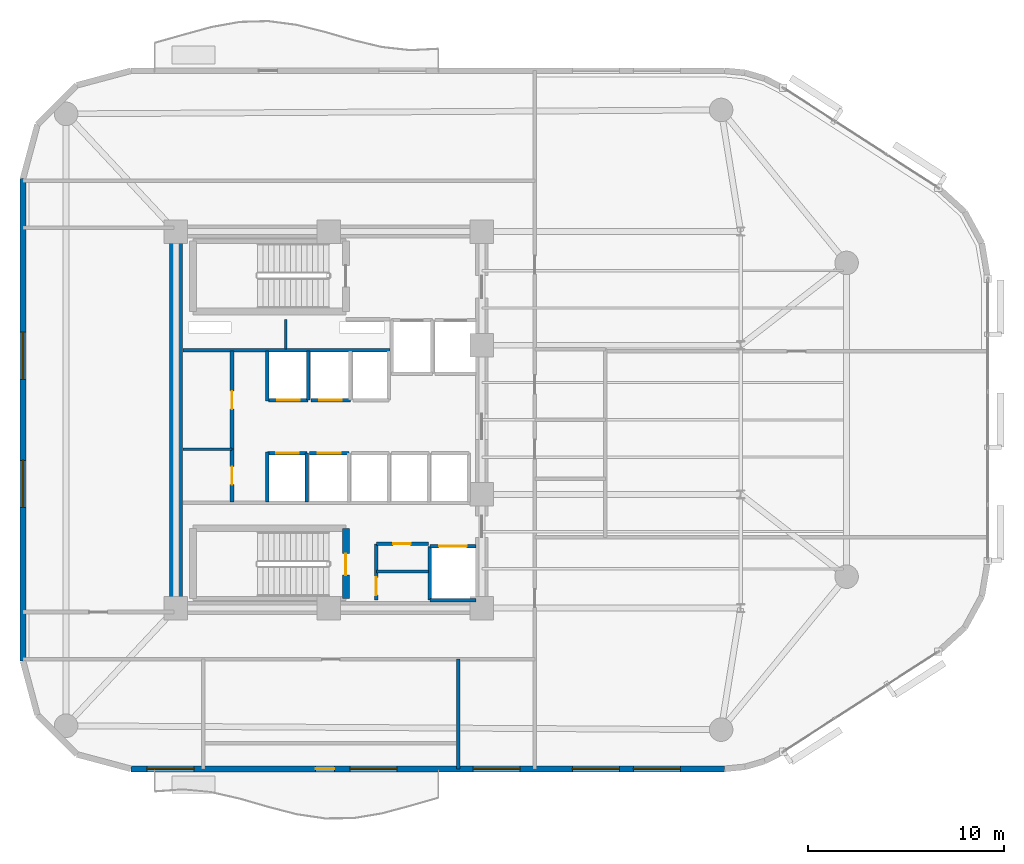
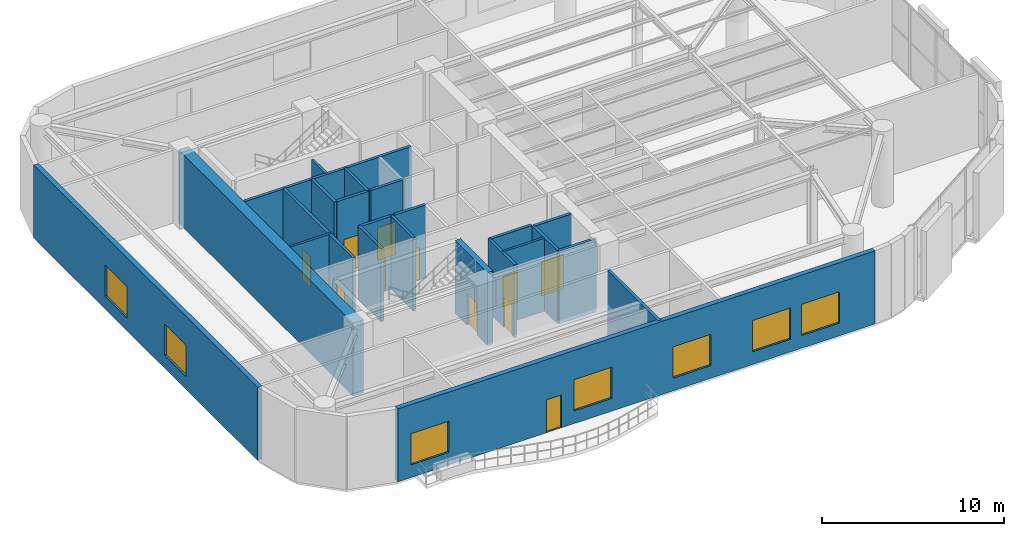
# One storey, part 8 of 12: 24 walls, 11 doors, 7 windows, 18 openings.
"""IFC4 building model written with IfcOpenShell, lengths in metres."""

from ifc_helpers import new_model, si_unit, direction, frame, frame_2d, origin, place, context, subcontext, project, spatial, rectangle, extrude, material, layer, layer_set, type_object, element, fill, save


model = new_model("IFC4")

# Units and contexts
model_context = context("Model", 3, precision=1e-05, world=origin(), true_north=direction((0.0, 1.0)))
body_context = subcontext(model_context, "Body", "Model", "MODEL_VIEW")
ifc_project = project(units=[si_unit("LENGTHUNIT", "METRE"), si_unit("AREAUNIT", "SQUARE_METRE"), si_unit("VOLUMEUNIT", "CUBIC_METRE"), si_unit("PLANEANGLEUNIT", "RADIAN"), si_unit("MASSUNIT", "GRAM", prefix="KILO")], contexts=[model_context])

# Site, building, storey
site_placement = place(None, origin())
site = spatial("IfcSite", under=ifc_project, at=site_placement, CompositionType="ELEMENT")
building_placement = place(site_placement, origin())
building = spatial("IfcBuilding", under=site, at=building_placement, Name="An Khanh Terracotta Commons", CompositionType="ELEMENT")
storey_placement = place(building_placement, frame((0.0, 0.0, 138.699951171875)))
storey = spatial("IfcBuildingStorey", under=building, at=storey_placement, Name="L36", CompositionType="ELEMENT", Elevation=138.699951171875)

# Walls
ifc_material_1 = material(Name="Concrete C60/75", Category="concrete")
ifc_layer_1 = layer(ifc_material_1, 0.64990234375, Name="Concrete C60/75")
ifc_layer_set_1 = layer_set([ifc_layer_1], Name="Concrete C60/75")
wall_type_1 = type_object("IfcWallType", Name="WALL-CORE-650", PredefinedType="SHEAR", material=ifc_layer_set_1)
wall_1_placement = place(storey_placement, frame((21.60009765625, 14.39990234375, 0.0), z_axis=(0.0, 0.0, 1.0), x_axis=(0.0, 1.0, 0.0)))
element("IfcWall", 1, at=wall_1_placement, inside=storey, type_object=wall_type_1, Name="L36 Core Wall CWALL-L36-W", PredefinedType="SHEAR", context=body_context, shape_type="SweptSolid", body=[
    extrude(rectangle(XDim=19.2001953125, YDim=0.64990234375, at=frame_2d((9.60009765625, 0.0))), origin(), (0.0, 0.0, 1.0), 4.900146484375),
])
ifc_material_2 = material(Name="Fire-Rated Gypsum Board on Steel Stud", Category="steel")
ifc_layer_2 = layer(ifc_material_2, 0.179931640625, Name="Fire-Rated Gypsum Board on Steel Stud")
ifc_layer_set_2 = layer_set([ifc_layer_2], Name="Fire-Rated Gypsum Board on Steel Stud")
wall_type_2 = type_object("IfcWallType", Name="WALL-CORR-180", PredefinedType="PARTITIONING", material=ifc_layer_set_2)
wall_2_placement = place(storey_placement, frame((21.949951171875, 27.5400390625, 0.0), z_axis=(0.0, 0.0, 1.0), x_axis=(1.0, 0.0, 0.0)))
element("IfcWall", 2, at=wall_2_placement, inside=storey, type_object=wall_type_2, Name="L36 Core Wall RSRW-L36-S", PredefinedType="PARTITIONING", context=body_context, shape_type="SweptSolid", body=[
    extrude(rectangle(XDim=10.56005859375, YDim=0.179931640625, at=frame_2d((5.280029296875, 0.0))), origin(), (0.0, 0.0, 1.0), 4.900146484375),
])

# Wall, opening, door
wall_3_placement = place(storey_placement, frame((31.820068359375, 17.679931640625, 0.0), z_axis=(0.0, 0.0, 1.0), x_axis=(1.0, 0.0, 0.0)))
wall_3 = element("IfcWall", 3, at=wall_3_placement, inside=storey, type_object=wall_type_2, Name="L36 Core Wall SSVCW-L36-N", PredefinedType="PARTITIONING", context=body_context, shape_type="SweptSolid", body=[
    extrude(rectangle(XDim=2.659912109375, YDim=0.179931640625, at=frame_2d((1.330078125, 0.0))), origin(), (0.0, 0.0, 1.0), 4.900146484375),
])
opening_1_placement = place(wall_3_placement, frame((0.85009765625, 0.0, 0.0)))
opening_1 = element("IfcOpeningElement", 4, at=opening_1_placement, cuts=wall_3, Name="Opening D-SV", PredefinedType="OPENING", context=body_context, shape_type="SweptSolid", body=[
    extrude(rectangle(XDim=0.89990234375, YDim=2.050048828125, at=frame_2d((0.449951171875, 1.02490234375))), frame((0.0, 0.099853515625, 0.0), z_axis=(0.0, -1.0, 0.0), x_axis=(1.0, 0.0, 0.0)), (0.0, 0.0, 1.0), 0.199951171875),
])
ifc_material_3 = material(Name="Fire-Rated Powder-Coated Steel Door", Category="steel")
door_type_1 = type_object("IfcDoorType", Name="DOOR-SERV-900", OperationType="NOTDEFINED", PredefinedType="DOOR", material=ifc_material_3)
door_1_placement = place(opening_1_placement, origin())
door_1 = element("IfcDoor", 5, at=door_1_placement, inside=storey, type_object=door_type_1, Name="L36 Core Cleaner Store Door", OperationType="SINGLE_SWING_LEFT", OverallHeight=2.050048828125, OverallWidth=0.89990234375, PredefinedType="DOOR", context=body_context, shape_type="SweptSolid", body=[
    extrude(rectangle(XDim=0.89990234375, YDim=2.050048828125, at=frame_2d((0.449951171875, 1.02490234375))), frame((0.0, 0.02490234375, 0.0), z_axis=(0.0, -1.0, 0.0), x_axis=(1.0, 0.0, 0.0)), (0.0, 0.0, 1.0), 0.050048828125),
])
fill(opening_1, door_1)

wall_4_placement = place(storey_placement, frame((31.820068359375, 14.800048828125, 0.0), z_axis=(0.0, 0.0, 1.0), x_axis=(0.0, 1.0, 0.0)))
wall_4 = element("IfcWall", 6, at=wall_4_placement, inside=storey, type_object=wall_type_2, Name="L36 Core Wall SSVCW-L36-W", PredefinedType="PARTITIONING", context=body_context, shape_type="SweptSolid", body=[
    extrude(rectangle(XDim=2.8798828125, YDim=0.179931640625, at=frame_2d((1.43994140625, 0.0))), origin(), (0.0, 0.0, 1.0), 4.900146484375),
])
opening_2_placement = place(wall_4_placement, frame((0.260009765625, 0.0, 0.0)))
opening_2 = element("IfcOpeningElement", 7, at=opening_2_placement, cuts=wall_4, Name="Opening D-SV", PredefinedType="OPENING", context=body_context, shape_type="SweptSolid", body=[
    extrude(rectangle(XDim=0.89990234375, YDim=2.050048828125, at=frame_2d((0.449951171875, 1.02490234375))), frame((0.0, 0.099853515625, 0.0), z_axis=(0.0, -1.0, 0.0), x_axis=(1.0, 0.0, 0.0)), (0.0, 0.0, 1.0), 0.199951171875),
])
door_2_placement = place(opening_2_placement, origin())
door_2 = element("IfcDoor", 8, at=door_2_placement, inside=storey, type_object=door_type_1, Name="L36 Telecoms BMS Cupboard Door", OperationType="SINGLE_SWING_RIGHT", OverallHeight=2.050048828125, OverallWidth=0.89990234375, PredefinedType="DOOR", context=body_context, shape_type="SweptSolid", body=[
    extrude(rectangle(XDim=0.89990234375, YDim=2.050048828125, at=frame_2d((0.449951171875, 1.02490234375))), frame((0.0, 0.02490234375, 0.0), z_axis=(0.0, -1.0, 0.0), x_axis=(1.0, 0.0, 0.0)), (0.0, 0.0, 1.0), 0.050048828125),
])
fill(opening_2, door_2)

wall_5_placement = place(storey_placement, frame((34.550048828125, 17.550048828125, 0.0), z_axis=(0.0, 0.0, 1.0), x_axis=(1.0, 0.0, 0.0)))
wall_5 = element("IfcWall", 9, at=wall_5_placement, inside=storey, type_object=wall_type_2, Name="L36 Core Wall LSH-L36-SVL-01-N", PredefinedType="PARTITIONING", context=body_context, shape_type="SweptSolid", body=[
    extrude(rectangle(XDim=2.349853515625, YDim=0.179931640625, at=frame_2d((1.1748046875, 0.0))), origin(), (0.0, 0.0, 1.0), 4.900146484375),
])
opening_3_placement = place(wall_5_placement, frame((0.47509765625, 0.0, 0.0)))
opening_3 = element("IfcOpeningElement", 10, at=opening_3_placement, cuts=wall_5, Name="Opening LD-SVL-01-L36", PredefinedType="OPENING", context=body_context, shape_type="SweptSolid", body=[
    extrude(rectangle(XDim=1.39990234375, YDim=2.300048828125, at=frame_2d((0.699951171875, 1.14990234375))), frame((0.0, 0.099853515625, 0.0), z_axis=(0.0, -1.0, 0.0), x_axis=(1.0, 0.0, 0.0)), (0.0, 0.0, 1.0), 0.199951171875),
])
ifc_material_4 = material(Name="Heavy-Duty Stainless Steel Goods Landing Door", Category="steel")
door_type_2 = type_object("IfcDoorType", Name="DOOR-LD-SVL-1400", OperationType="NOTDEFINED", PredefinedType="DOOR", material=ifc_material_4)
door_3_placement = place(opening_3_placement, origin())
door_3 = element("IfcDoor", 11, at=door_3_placement, inside=storey, type_object=door_type_2, Name="L36 Lift SVL-01 Sliding Landing Door", OperationType="DOUBLE_DOOR_SLIDING", OverallHeight=2.300048828125, OverallWidth=1.39990234375, PredefinedType="DOOR", context=body_context, shape_type="SweptSolid", body=[
    extrude(rectangle(XDim=1.39990234375, YDim=2.300048828125, at=frame_2d((0.699951171875, 1.14990234375))), frame((0.0, 0.02490234375, 0.0), z_axis=(0.0, -1.0, 0.0), x_axis=(1.0, 0.0, 0.0)), (0.0, 0.0, 1.0), 0.050048828125),
])
fill(opening_3, door_3)

# Walls
wall_6_placement = place(storey_placement, frame((36.89990234375, 14.800048828125, 0.0), z_axis=(0.0, 0.0, 1.0), x_axis=(-1.0, 0.0, 0.0)))
element("IfcWall", 12, at=wall_6_placement, inside=storey, type_object=wall_type_2, Name="L36 Core Wall LSH-L36-SVL-01-S", PredefinedType="PARTITIONING", context=body_context, shape_type="SweptSolid", body=[
    extrude(rectangle(XDim=2.349853515625, YDim=0.179931640625, at=frame_2d((1.1748046875, 0.0))), origin(), (0.0, 0.0, 1.0), 4.900146484375),
])
wall_7_placement = place(storey_placement, frame((34.550048828125, 17.550048828125, 0.0), z_axis=(0.0, 0.0, 1.0), x_axis=(0.0, -1.0, 0.0)))
element("IfcWall", 13, at=wall_7_placement, inside=storey, type_object=wall_type_2, Name="L36 Core Wall LSH-L36-SVL-01-W", PredefinedType="PARTITIONING", context=body_context, shape_type="SweptSolid", body=[
    extrude(rectangle(XDim=2.75, YDim=0.179931640625, at=frame_2d((1.375, 0.0))), origin(), (0.0, 0.0, 1.0), 4.900146484375),
])

# Wall, opening, door
wall_8_placement = place(storey_placement, frame((28.340087890625, 25.0, 0.0), z_axis=(0.0, 0.0, 1.0), x_axis=(-1.0, 0.0, 0.0)))
wall_8 = element("IfcWall", 14, at=wall_8_placement, inside=storey, type_object=wall_type_2, Name="L36 Core Wall LSH-L36-PL-M1-S", PredefinedType="PARTITIONING", context=body_context, shape_type="SweptSolid", body=[
    extrude(rectangle(XDim=2.02001953125, YDim=0.179931640625, at=frame_2d((1.010009765625, 0.0))), origin(), (0.0, 0.0, 1.0), 4.900146484375),
])
opening_4_placement = place(wall_8_placement, frame((0.43505859375, 0.0, 0.0)))
opening_4 = element("IfcOpeningElement", 15, at=opening_4_placement, cuts=wall_8, Name="Opening LD-PL-M1-L36", PredefinedType="OPENING", context=body_context, shape_type="SweptSolid", body=[
    extrude(rectangle(XDim=1.14990234375, YDim=2.199951171875, at=frame_2d((0.574951171875, 1.10009765625))), frame((0.0, 0.099853515625, 0.0), z_axis=(0.0, -1.0, 0.0), x_axis=(1.0, 0.0, 0.0)), (0.0, 0.0, 1.0), 0.199951171875),
])
ifc_material_5 = material(Name="Brushed Stainless Steel Passenger Landing Door", Category="steel")
door_type_3 = type_object("IfcDoorType", Name="DOOR-LD-PAX-1150", OperationType="NOTDEFINED", PredefinedType="DOOR", material=ifc_material_5)
door_4_placement = place(opening_4_placement, origin())
door_4 = element("IfcDoor", 16, at=door_4_placement, inside=storey, type_object=door_type_3, Name="L36 Lift PL-M1 Sliding Landing Door", OperationType="DOUBLE_DOOR_SLIDING", OverallHeight=2.199951171875, OverallWidth=1.14990234375, PredefinedType="DOOR", context=body_context, shape_type="SweptSolid", body=[
    extrude(rectangle(XDim=1.14990234375, YDim=2.199951171875, at=frame_2d((0.574951171875, 1.10009765625))), frame((0.0, 0.02490234375, 0.0), z_axis=(0.0, -1.0, 0.0), x_axis=(1.0, 0.0, 0.0)), (0.0, 0.0, 1.0), 0.050048828125),
])
fill(opening_4, door_4)

# Wall
wall_9_placement = place(storey_placement, frame((28.340087890625, 25.0, 0.0), z_axis=(0.0, 0.0, 1.0), x_axis=(0.0, 1.0, 0.0)))
element("IfcWall", 17, at=wall_9_placement, inside=storey, type_object=wall_type_2, Name="L36 Core Wall LSH-L36-PL-M1-E", PredefinedType="PARTITIONING", context=body_context, shape_type="SweptSolid", body=[
    extrude(rectangle(XDim=2.5, YDim=0.179931640625, at=frame_2d((1.25, 0.0))), origin(), (0.0, 0.0, 1.0), 4.900146484375),
])

# Wall, opening, door
wall_10_placement = place(storey_placement, frame((30.5, 25.0, 0.0), z_axis=(0.0, 0.0, 1.0), x_axis=(-1.0, 0.0, 0.0)))
wall_10 = element("IfcWall", 18, at=wall_10_placement, inside=storey, type_object=wall_type_2, Name="L36 Core Wall LSH-L36-PL-M2-S", PredefinedType="PARTITIONING", context=body_context, shape_type="SweptSolid", body=[
    extrude(rectangle(XDim=2.02001953125, YDim=0.179931640625, at=frame_2d((1.010009765625, 0.0))), origin(), (0.0, 0.0, 1.0), 4.900146484375),
])
opening_5_placement = place(wall_10_placement, frame((0.43505859375, 0.0, 0.0)))
opening_5 = element("IfcOpeningElement", 19, at=opening_5_placement, cuts=wall_10, Name="Opening LD-PL-M2-L36", PredefinedType="OPENING", context=body_context, shape_type="SweptSolid", body=[
    extrude(rectangle(XDim=1.14990234375, YDim=2.199951171875, at=frame_2d((0.574951171875, 1.10009765625))), frame((0.0, 0.099853515625, 0.0), z_axis=(0.0, -1.0, 0.0), x_axis=(1.0, 0.0, 0.0)), (0.0, 0.0, 1.0), 0.199951171875),
])
door_5_placement = place(opening_5_placement, origin())
door_5 = element("IfcDoor", 20, at=door_5_placement, inside=storey, type_object=door_type_3, Name="L36 Lift PL-M2 Sliding Landing Door", OperationType="DOUBLE_DOOR_SLIDING", OverallHeight=2.199951171875, OverallWidth=1.14990234375, PredefinedType="DOOR", context=body_context, shape_type="SweptSolid", body=[
    extrude(rectangle(XDim=1.14990234375, YDim=2.199951171875, at=frame_2d((0.574951171875, 1.10009765625))), frame((0.0, 0.02490234375, 0.0), z_axis=(0.0, -1.0, 0.0), x_axis=(1.0, 0.0, 0.0)), (0.0, 0.0, 1.0), 0.050048828125),
])
fill(opening_5, door_5)

wall_11_placement = place(storey_placement, frame((26.280029296875, 22.300048828125, 0.0), z_axis=(0.0, 0.0, 1.0), x_axis=(1.0, 0.0, 0.0)))
wall_11 = element("IfcWall", 21, at=wall_11_placement, inside=storey, type_object=wall_type_2, Name="L36 Core Wall LSH-L36-PL-M3-N", PredefinedType="PARTITIONING", context=body_context, shape_type="SweptSolid", body=[
    extrude(rectangle(XDim=2.0, YDim=0.179931640625, at=frame_2d((1.0, 0.0))), origin(), (0.0, 0.0, 1.0), 4.900146484375),
])
opening_6_placement = place(wall_11_placement, frame((0.425048828125, 0.0, 0.0)))
opening_6 = element("IfcOpeningElement", 22, at=opening_6_placement, cuts=wall_11, Name="Opening LD-PL-M3-L36", PredefinedType="OPENING", context=body_context, shape_type="SweptSolid", body=[
    extrude(rectangle(XDim=1.14990234375, YDim=2.199951171875, at=frame_2d((0.574951171875, 1.10009765625))), frame((0.0, 0.099853515625, 0.0), z_axis=(0.0, -1.0, 0.0), x_axis=(1.0, 0.0, 0.0)), (0.0, 0.0, 1.0), 0.199951171875),
])
door_6_placement = place(opening_6_placement, origin())
door_6 = element("IfcDoor", 23, at=door_6_placement, inside=storey, type_object=door_type_3, Name="L36 Lift PL-M3 Sliding Landing Door", OperationType="DOUBLE_DOOR_SLIDING", OverallHeight=2.199951171875, OverallWidth=1.14990234375, PredefinedType="DOOR", context=body_context, shape_type="SweptSolid", body=[
    extrude(rectangle(XDim=1.14990234375, YDim=2.199951171875, at=frame_2d((0.574951171875, 1.10009765625))), frame((0.0, 0.02490234375, 0.0), z_axis=(0.0, -1.0, 0.0), x_axis=(1.0, 0.0, 0.0)), (0.0, 0.0, 1.0), 0.050048828125),
])
fill(opening_6, door_6)

# Wall
wall_12_placement = place(storey_placement, frame((28.280029296875, 19.800048828125, 0.0), z_axis=(0.0, 0.0, 1.0), x_axis=(0.0, 1.0, 0.0)))
element("IfcWall", 24, at=wall_12_placement, inside=storey, type_object=wall_type_2, Name="L36 Core Wall LSH-L36-PL-M3-E", PredefinedType="PARTITIONING", context=body_context, shape_type="SweptSolid", body=[
    extrude(rectangle(XDim=2.5, YDim=0.179931640625, at=frame_2d((1.25, 0.0))), origin(), (0.0, 0.0, 1.0), 4.900146484375),
])

# Wall, opening, door
wall_13_placement = place(storey_placement, frame((28.419921875, 22.300048828125, 0.0), z_axis=(0.0, 0.0, 1.0), x_axis=(1.0, 0.0, 0.0)))
wall_13 = element("IfcWall", 25, at=wall_13_placement, inside=storey, type_object=wall_type_2, Name="L36 Core Wall LSH-L36-PL-M4-N", PredefinedType="PARTITIONING", context=body_context, shape_type="SweptSolid", body=[
    extrude(rectangle(XDim=2.0, YDim=0.179931640625, at=frame_2d((1.0, 0.0))), origin(), (0.0, 0.0, 1.0), 4.900146484375),
])
opening_7_placement = place(wall_13_placement, frame((0.425048828125, 0.0, 0.0)))
opening_7 = element("IfcOpeningElement", 26, at=opening_7_placement, cuts=wall_13, Name="Opening LD-PL-M4-L36", PredefinedType="OPENING", context=body_context, shape_type="SweptSolid", body=[
    extrude(rectangle(XDim=1.14990234375, YDim=2.199951171875, at=frame_2d((0.574951171875, 1.10009765625))), frame((0.0, 0.099853515625, 0.0), z_axis=(0.0, -1.0, 0.0), x_axis=(1.0, 0.0, 0.0)), (0.0, 0.0, 1.0), 0.199951171875),
])
door_7_placement = place(opening_7_placement, origin())
door_7 = element("IfcDoor", 27, at=door_7_placement, inside=storey, type_object=door_type_3, Name="L36 Lift PL-M4 Sliding Landing Door", OperationType="DOUBLE_DOOR_SLIDING", OverallHeight=2.199951171875, OverallWidth=1.14990234375, PredefinedType="DOOR", context=body_context, shape_type="SweptSolid", body=[
    extrude(rectangle(XDim=1.14990234375, YDim=2.199951171875, at=frame_2d((0.574951171875, 1.10009765625))), frame((0.0, 0.02490234375, 0.0), z_axis=(0.0, -1.0, 0.0), x_axis=(1.0, 0.0, 0.0)), (0.0, 0.0, 1.0), 0.050048828125),
])
fill(opening_7, door_7)

wall_14_placement = place(storey_placement, frame((24.4599609375, 22.5, 0.0), z_axis=(0.0, 0.0, 1.0), x_axis=(0.0, 1.0, 0.0)))
wall_14 = element("IfcWall", 28, at=wall_14_placement, inside=storey, type_object=wall_type_2, Name="L36 Core Wall RECW-L36-E1", PredefinedType="PARTITIONING", context=body_context, shape_type="SweptSolid", body=[
    extrude(rectangle(XDim=5.0, YDim=0.179931640625, at=frame_2d((2.5, 0.0))), origin(), (0.0, 0.0, 1.0), 4.900146484375),
])
opening_8_placement = place(wall_14_placement, frame((2.0400390625, 0.0, 0.0)))
opening_8 = element("IfcOpeningElement", 29, at=opening_8_placement, cuts=wall_14, Name="Opening D-RM", PredefinedType="OPENING", context=body_context, shape_type="SweptSolid", body=[
    extrude(rectangle(XDim=0.919921875, YDim=2.10009765625, at=frame_2d((0.4599609375, 1.050048828125))), frame((0.0, 0.099853515625, 0.0), z_axis=(0.0, -1.0, 0.0), x_axis=(1.0, 0.0, 0.0)), (0.0, 0.0, 1.0), 0.199951171875),
])
ifc_material_6 = material(Name="Engineered Hardwood Timber Leaf", Category="wood")
door_type_4 = type_object("IfcDoorType", Name="DOOR-INT-920", OperationType="NOTDEFINED", PredefinedType="DOOR", material=ifc_material_6)
door_8_placement = place(opening_8_placement, origin())
door_8 = element("IfcDoor", 30, at=door_8_placement, inside=storey, type_object=door_type_4, Name="L36 Resident Study Pod Door", OperationType="SINGLE_SWING_LEFT", OverallHeight=2.10009765625, OverallWidth=0.919921875, PredefinedType="DOOR", context=body_context, shape_type="SweptSolid", body=[
    extrude(rectangle(XDim=0.919921875, YDim=2.10009765625, at=frame_2d((0.4599609375, 1.050048828125))), frame((0.0, 0.02490234375, 0.0), z_axis=(0.0, -1.0, 0.0), x_axis=(1.0, 0.0, 0.0)), (0.0, 0.0, 1.0), 0.050048828125),
])
fill(opening_8, door_8)

wall_15_placement = place(storey_placement, frame((24.4599609375, 19.800048828125, 0.0), z_axis=(0.0, 0.0, 1.0), x_axis=(0.0, 1.0, 0.0)))
wall_15 = element("IfcWall", 31, at=wall_15_placement, inside=storey, type_object=wall_type_2, Name="L36 Core Wall RECW-L36-E2", PredefinedType="PARTITIONING", context=body_context, shape_type="SweptSolid", body=[
    extrude(rectangle(XDim=2.699951171875, YDim=0.179931640625, at=frame_2d((1.35009765625, 0.0))), origin(), (0.0, 0.0, 1.0), 4.900146484375),
])
opening_9_placement = place(wall_15_placement, frame((0.889892578125, 0.0, 0.0)))
opening_9 = element("IfcOpeningElement", 32, at=opening_9_placement, cuts=wall_15, Name="Opening D-RM", PredefinedType="OPENING", context=body_context, shape_type="SweptSolid", body=[
    extrude(rectangle(XDim=0.919921875, YDim=2.10009765625, at=frame_2d((0.4599609375, 1.050048828125))), frame((0.0, 0.099853515625, 0.0), z_axis=(0.0, -1.0, 0.0), x_axis=(1.0, 0.0, 0.0)), (0.0, 0.0, 1.0), 0.199951171875),
])
door_9_placement = place(opening_9_placement, origin())
door_9 = element("IfcDoor", 33, at=door_9_placement, inside=storey, type_object=door_type_4, Name="L36 Communal Laundry Room Door", OperationType="SINGLE_SWING_RIGHT", OverallHeight=2.10009765625, OverallWidth=0.919921875, PredefinedType="DOOR", context=body_context, shape_type="SweptSolid", body=[
    extrude(rectangle(XDim=0.919921875, YDim=2.10009765625, at=frame_2d((0.4599609375, 1.050048828125))), frame((0.0, 0.02490234375, 0.0), z_axis=(0.0, -1.0, 0.0), x_axis=(1.0, 0.0, 0.0)), (0.0, 0.0, 1.0), 0.050048828125),
])
fill(opening_9, door_9)

# Walls
for number, where, z_axis, x_axis, name in (
    (34, (26.25, 24.949951171875, 0.0), (0.0, 0.0, 1.0), (0.0, 1.0, 0.0), "L36 Core Wall RECW-L36-BE1"),
    (35, (26.25, 19.800048828125, 0.0), (0.0, 0.0, 1.0), (0.0, 1.0, 0.0), "L36 Core Wall RECW-L36-BE2"),
):
    element("IfcWall", number, at=place(storey_placement, frame(where, z_axis=z_axis, x_axis=x_axis)), inside=storey, type_object=wall_type_2, Name=name, PredefinedType="PARTITIONING", context=body_context, shape_type="SweptSolid", body=[
        extrude(rectangle(XDim=2.550048828125, YDim=0.179931640625, at=frame_2d((1.27490234375, 0.0))), origin(), (0.0, 0.0, 1.0), 4.900146484375),
    ])
wall_16_placement = place(storey_placement, frame((36.0, 6.199951171875, 0.0), z_axis=(0.0, 0.0, 1.0), x_axis=(0.0, 1.0, 0.0)))
element("IfcWall", 36, at=wall_16_placement, inside=storey, type_object=wall_type_2, Name="L36 Interior Partition IW-L36-E012", PredefinedType="PARTITIONING", context=body_context, shape_type="SweptSolid", body=[
    extrude(rectangle(XDim=5.60009765625, YDim=0.179931640625, at=frame_2d((2.800048828125, 0.0))), origin(), (0.0, 0.0, 1.0), 4.900146484375),
])

# Wall, openings, door, windows
ifc_material_7 = material(Name="Precast concrete C40/50", Category="concrete")
ifc_layer_3 = layer(ifc_material_7, 0.300048828125, Name="Precast concrete C40/50")
ifc_layer_set_3 = layer_set([ifc_layer_3], Name="Precast concrete C40/50")
wall_type_3 = type_object("IfcWallType", Name="WALL-EXT-300", PredefinedType="SOLIDWALL", material=ifc_layer_set_3)
wall_17_placement = place(storey_placement, frame((19.300048828125, 6.199951171875, 0.0), z_axis=(0.0, 0.0, 1.0), x_axis=(1.0, 0.0, 0.0)))
wall_17 = element("IfcWall", 37, at=wall_17_placement, inside=storey, type_object=wall_type_3, Name="L36 Insulated Terracotta Exterior Wall 4", PredefinedType="SOLIDWALL", context=body_context, shape_type="SweptSolid", body=[
    extrude(rectangle(XDim=30.281982421875, YDim=0.300048828125, at=frame_2d((15.14111328125, 0.0))), origin(), (0.0, 0.0, 1.0), 4.900146484375),
])
opening_10_placement = place(wall_17_placement, frame((9.425048828125, 0.0, 0.0)))
opening_10 = element("IfcOpeningElement", 38, at=opening_10_placement, cuts=wall_17, Name="Opening D-BAL", PredefinedType="OPENING", context=body_context, shape_type="SweptSolid", body=[
    extrude(rectangle(XDim=0.949951171875, YDim=2.199951171875, at=frame_2d((0.47509765625, 1.10009765625))), frame((0.0, 0.159912109375, 0.0), z_axis=(0.0, -1.0, 0.0), x_axis=(1.0, 0.0, 0.0)), (0.0, 0.0, 1.0), 0.320068359375),
])
opening_11_placement = place(wall_17_placement, frame((0.824951171875, 0.0, 0.85009765625)))
opening_11 = element("IfcOpeningElement", 39, at=opening_11_placement, cuts=wall_17, Name="Opening W-07", PredefinedType="OPENING", context=body_context, shape_type="SweptSolid", body=[
    extrude(rectangle(XDim=2.39990234375, YDim=2.10009765625, at=frame_2d((1.199951171875, 1.050048828125))), frame((0.0, 0.159912109375, 0.0), z_axis=(0.0, -1.0, 0.0), x_axis=(1.0, 0.0, 0.0)), (0.0, 0.0, 1.0), 0.320068359375),
])
opening_12_placement = place(wall_17_placement, frame((11.1669921875, 0.0, 0.85009765625)))
opening_12 = element("IfcOpeningElement", 40, at=opening_12_placement, cuts=wall_17, Name="Opening W-07", PredefinedType="OPENING", context=body_context, shape_type="SweptSolid", body=[
    extrude(rectangle(XDim=2.39990234375, YDim=2.10009765625, at=frame_2d((1.199951171875, 1.050048828125))), frame((0.0, 0.159912109375, 0.0), z_axis=(0.0, -1.0, 0.0), x_axis=(1.0, 0.0, 0.0)), (0.0, 0.0, 1.0), 0.320068359375),
])
opening_13_placement = place(wall_17_placement, frame((17.449951171875, 0.0, 0.85009765625)))
opening_13 = element("IfcOpeningElement", 41, at=opening_13_placement, cuts=wall_17, Name="Opening W-07", PredefinedType="OPENING", context=body_context, shape_type="SweptSolid", body=[
    extrude(rectangle(XDim=2.39990234375, YDim=2.10009765625, at=frame_2d((1.199951171875, 1.050048828125))), frame((0.0, 0.159912109375, 0.0), z_axis=(0.0, -1.0, 0.0), x_axis=(1.0, 0.0, 0.0)), (0.0, 0.0, 1.0), 0.320068359375),
])
opening_14_placement = place(wall_17_placement, frame((22.510986328125, 0.0, 0.85009765625)))
opening_14 = element("IfcOpeningElement", 42, at=opening_14_placement, cuts=wall_17, Name="Opening W-07", PredefinedType="OPENING", context=body_context, shape_type="SweptSolid", body=[
    extrude(rectangle(XDim=2.39990234375, YDim=2.10009765625, at=frame_2d((1.199951171875, 1.050048828125))), frame((0.0, 0.159912109375, 0.0), z_axis=(0.0, -1.0, 0.0), x_axis=(1.0, 0.0, 0.0)), (0.0, 0.0, 1.0), 0.320068359375),
])
opening_15_placement = place(wall_17_placement, frame((25.62109375, 0.0, 0.85009765625)))
opening_15 = element("IfcOpeningElement", 43, at=opening_15_placement, cuts=wall_17, Name="Opening W-07", PredefinedType="OPENING", context=body_context, shape_type="SweptSolid", body=[
    extrude(rectangle(XDim=2.39990234375, YDim=2.10009765625, at=frame_2d((1.199951171875, 1.050048828125))), frame((0.0, 0.159912109375, 0.0), z_axis=(0.0, -1.0, 0.0), x_axis=(1.0, 0.0, 0.0)), (0.0, 0.0, 1.0), 0.320068359375),
])
ifc_material_8 = material(Name="Thermally Broken Aluminium and Low-E Glass", Category="aluminium")
door_type_5 = type_object("IfcDoorType", Name="DOOR-BALC-950", OperationType="NOTDEFINED", PredefinedType="DOOR", material=ifc_material_8)
door_10_placement = place(opening_10_placement, origin())
door_10 = element("IfcDoor", 44, at=door_10_placement, inside=storey, type_object=door_type_5, Name="L36 S Wave Balcony Glazed Door", OperationType="SINGLE_SWING_LEFT", OverallHeight=2.199951171875, OverallWidth=0.949951171875, PredefinedType="DOOR", context=body_context, shape_type="SweptSolid", body=[
    extrude(rectangle(XDim=0.949951171875, YDim=2.199951171875, at=frame_2d((0.47509765625, 1.10009765625))), frame((0.0, 0.02490234375, 0.0), z_axis=(0.0, -1.0, 0.0), x_axis=(1.0, 0.0, 0.0)), (0.0, 0.0, 1.0), 0.050048828125),
])
fill(opening_10, door_10)
window_type = type_object("IfcWindowType", Name="WIN-SKY-2400x2100", PartitioningType="TRIPLE_PANEL_VERTICAL", PredefinedType="WINDOW", material=ifc_material_8)
window_1_placement = place(opening_11_placement, origin())
window_1 = element("IfcWindow", 45, at=window_1_placement, inside=storey, type_object=window_type, Name="L36 Operable Casement Window 4.1", OverallHeight=2.10009765625, OverallWidth=2.39990234375, PartitioningType="TRIPLE_PANEL_VERTICAL", PredefinedType="WINDOW", context=body_context, shape_type="SweptSolid", body=[
    extrude(rectangle(XDim=2.39990234375, YDim=2.10009765625, at=frame_2d((1.199951171875, 1.050048828125))), frame((0.0, 0.030029296875, 0.0), z_axis=(0.0, -1.0, 0.0), x_axis=(1.0, 0.0, 0.0)), (0.0, 0.0, 1.0), 0.06005859375),
])
fill(opening_11, window_1)
window_2_placement = place(opening_12_placement, origin())
window_2 = element("IfcWindow", 46, at=window_2_placement, inside=storey, type_object=window_type, Name="L36 Operable Casement Window 4.2", OverallHeight=2.10009765625, OverallWidth=2.39990234375, PartitioningType="TRIPLE_PANEL_VERTICAL", PredefinedType="WINDOW", context=body_context, shape_type="SweptSolid", body=[
    extrude(rectangle(XDim=2.39990234375, YDim=2.10009765625, at=frame_2d((1.199951171875, 1.050048828125))), frame((0.0, 0.030029296875, 0.0), z_axis=(0.0, -1.0, 0.0), x_axis=(1.0, 0.0, 0.0)), (0.0, 0.0, 1.0), 0.06005859375),
])
fill(opening_12, window_2)
window_3_placement = place(opening_13_placement, origin())
window_3 = element("IfcWindow", 47, at=window_3_placement, inside=storey, type_object=window_type, Name="L36 Operable Casement Window 4.3", OverallHeight=2.10009765625, OverallWidth=2.39990234375, PartitioningType="TRIPLE_PANEL_VERTICAL", PredefinedType="WINDOW", context=body_context, shape_type="SweptSolid", body=[
    extrude(rectangle(XDim=2.39990234375, YDim=2.10009765625, at=frame_2d((1.199951171875, 1.050048828125))), frame((0.0, 0.030029296875, 0.0), z_axis=(0.0, -1.0, 0.0), x_axis=(1.0, 0.0, 0.0)), (0.0, 0.0, 1.0), 0.06005859375),
])
fill(opening_13, window_3)
window_4_placement = place(opening_14_placement, origin())
window_4 = element("IfcWindow", 48, at=window_4_placement, inside=storey, type_object=window_type, Name="L36 Operable Casement Window 4.4", OverallHeight=2.10009765625, OverallWidth=2.39990234375, PartitioningType="TRIPLE_PANEL_VERTICAL", PredefinedType="WINDOW", context=body_context, shape_type="SweptSolid", body=[
    extrude(rectangle(XDim=2.39990234375, YDim=2.10009765625, at=frame_2d((1.199951171875, 1.050048828125))), frame((0.0, 0.030029296875, 0.0), z_axis=(0.0, -1.0, 0.0), x_axis=(1.0, 0.0, 0.0)), (0.0, 0.0, 1.0), 0.06005859375),
])
fill(opening_14, window_4)
window_5_placement = place(opening_15_placement, origin())
window_5 = element("IfcWindow", 49, at=window_5_placement, inside=storey, type_object=window_type, Name="L36 Operable Casement Window 4.5", OverallHeight=2.10009765625, OverallWidth=2.39990234375, PartitioningType="TRIPLE_PANEL_VERTICAL", PredefinedType="WINDOW", context=body_context, shape_type="SweptSolid", body=[
    extrude(rectangle(XDim=2.39990234375, YDim=2.10009765625, at=frame_2d((1.199951171875, 1.050048828125))), frame((0.0, 0.030029296875, 0.0), z_axis=(0.0, -1.0, 0.0), x_axis=(1.0, 0.0, 0.0)), (0.0, 0.0, 1.0), 0.06005859375),
])
fill(opening_15, window_5)

# Wall, openings, windows
wall_18_placement = place(storey_placement, frame((13.800048828125, 36.300048828125, 0.0), z_axis=(0.0, 0.0, 1.0), x_axis=(0.0, -1.0, 0.0)))
wall_18 = element("IfcWall", 50, at=wall_18_placement, inside=storey, type_object=wall_type_3, Name="L36 Insulated Terracotta Exterior Wall 24", PredefinedType="SOLIDWALL", context=body_context, shape_type="SweptSolid", body=[
    extrude(rectangle(XDim=24.60009765625, YDim=0.300048828125, at=frame_2d((12.300048828125, 0.0))), origin(), (0.0, 0.0, 1.0), 4.900146484375),
])
opening_16_placement = place(wall_18_placement, frame((7.8330078125, 0.0, 0.85009765625)))
opening_16 = element("IfcOpeningElement", 51, at=opening_16_placement, cuts=wall_18, Name="Opening W-07", PredefinedType="OPENING", context=body_context, shape_type="SweptSolid", body=[
    extrude(rectangle(XDim=2.39990234375, YDim=2.10009765625, at=frame_2d((1.199951171875, 1.050048828125))), frame((0.0, 0.159912109375, 0.0), z_axis=(0.0, -1.0, 0.0), x_axis=(1.0, 0.0, 0.0)), (0.0, 0.0, 1.0), 0.320068359375),
])
opening_17_placement = place(wall_18_placement, frame((14.366943359375, 0.0, 0.85009765625)))
opening_17 = element("IfcOpeningElement", 52, at=opening_17_placement, cuts=wall_18, Name="Opening W-07", PredefinedType="OPENING", context=body_context, shape_type="SweptSolid", body=[
    extrude(rectangle(XDim=2.39990234375, YDim=2.10009765625, at=frame_2d((1.199951171875, 1.050048828125))), frame((0.0, 0.159912109375, 0.0), z_axis=(0.0, -1.0, 0.0), x_axis=(1.0, 0.0, 0.0)), (0.0, 0.0, 1.0), 0.320068359375),
])
window_6_placement = place(opening_16_placement, origin())
window_6 = element("IfcWindow", 53, at=window_6_placement, inside=storey, type_object=window_type, Name="L36 Operable Casement Window 24.1", OverallHeight=2.10009765625, OverallWidth=2.39990234375, PartitioningType="TRIPLE_PANEL_VERTICAL", PredefinedType="WINDOW", context=body_context, shape_type="SweptSolid", body=[
    extrude(rectangle(XDim=2.39990234375, YDim=2.10009765625, at=frame_2d((1.199951171875, 1.050048828125))), frame((0.0, 0.030029296875, 0.0), z_axis=(0.0, -1.0, 0.0), x_axis=(1.0, 0.0, 0.0)), (0.0, 0.0, 1.0), 0.06005859375),
])
fill(opening_16, window_6)
window_7_placement = place(opening_17_placement, origin())
window_7 = element("IfcWindow", 54, at=window_7_placement, inside=storey, type_object=window_type, Name="L36 Operable Casement Window 24.2", OverallHeight=2.10009765625, OverallWidth=2.39990234375, PartitioningType="TRIPLE_PANEL_VERTICAL", PredefinedType="WINDOW", context=body_context, shape_type="SweptSolid", body=[
    extrude(rectangle(XDim=2.39990234375, YDim=2.10009765625, at=frame_2d((1.199951171875, 1.050048828125))), frame((0.0, 0.030029296875, 0.0), z_axis=(0.0, -1.0, 0.0), x_axis=(1.0, 0.0, 0.0)), (0.0, 0.0, 1.0), 0.06005859375),
])
fill(opening_17, window_7)

# Walls
ifc_material_9 = material(Name="Acoustic Gypsum Board Partition")
ifc_layer_4 = layer(ifc_material_9, 0.14990234375, Name="Acoustic Gypsum Board Partition")
ifc_layer_set_4 = layer_set([ifc_layer_4], Name="Acoustic Gypsum Board Partition")
wall_type_4 = type_object("IfcWallType", Name="WALL-PART-150", PredefinedType="PARTITIONING", material=ifc_layer_set_4)
wall_19_placement = place(storey_placement, frame((27.199951171875, 27.60009765625, 0.0), z_axis=(0.0, 0.0, 1.0), x_axis=(0.0, 1.0, 0.0)))
element("IfcWall", 55, at=wall_19_placement, inside=storey, type_object=wall_type_4, Name="L36 Core Wall RSRW-L36-D1", PredefinedType="PARTITIONING", context=body_context, shape_type="SweptSolid", body=[
    extrude(rectangle(XDim=1.52001953125, YDim=0.14990234375, at=frame_2d((0.760009765625, 0.0))), origin(), (0.0, 0.0, 1.0), 4.900146484375),
])
wall_20_placement = place(storey_placement, frame((31.820068359375, 16.260009765625, 0.0), z_axis=(0.0, 0.0, 1.0), x_axis=(1.0, 0.0, 0.0)))
element("IfcWall", 56, at=wall_20_placement, inside=storey, type_object=wall_type_4, Name="L36 Core Wall SSVCW-L36-M", PredefinedType="PARTITIONING", context=body_context, shape_type="SweptSolid", body=[
    extrude(rectangle(XDim=2.659912109375, YDim=0.14990234375, at=frame_2d((1.330078125, 0.0))), origin(), (0.0, 0.0, 1.0), 4.900146484375),
])
wall_21_placement = place(storey_placement, frame((21.949951171875, 22.5, 0.0), z_axis=(0.0, 0.0, 1.0), x_axis=(1.0, 0.0, 0.0)))
element("IfcWall", 57, at=wall_21_placement, inside=storey, type_object=wall_type_4, Name="L36 Core Wall RECW-L36-M", PredefinedType="PARTITIONING", context=body_context, shape_type="SweptSolid", body=[
    extrude(rectangle(XDim=2.510009765625, YDim=0.14990234375, at=frame_2d((1.2548828125, 0.0))), origin(), (0.0, 0.0, 1.0), 4.900146484375),
])

# Wall, opening, door
ifc_material_10 = material(Name="Concrete C50/60", Category="concrete")
ifc_layer_5 = layer(ifc_material_10, 0.35009765625, Name="Concrete C50/60")
ifc_layer_set_5 = layer_set([ifc_layer_5], Name="Concrete C50/60")
wall_type_5 = type_object("IfcWallType", Name="WALL-SHAFT-350", PredefinedType="SOLIDWALL", material=ifc_layer_set_5)
wall_22_placement = place(storey_placement, frame((30.27001953125, 14.889892578125, 0.0), z_axis=(0.0, 0.0, 1.0), x_axis=(0.0, 1.0, 0.0)))
wall_22 = element("IfcWall", 58, at=wall_22_placement, inside=storey, type_object=wall_type_5, Name="L36 Core Wall STW-L36-S-E", PredefinedType="SOLIDWALL", context=body_context, shape_type="SweptSolid", body=[
    extrude(rectangle(XDim=3.580078125, YDim=0.35009765625, at=frame_2d((1.7900390625, 0.0))), origin(), (0.0, 0.0, 1.0), 4.900146484375),
])
opening_18_placement = place(wall_22_placement, frame((1.18994140625, 0.0, 0.0)))
opening_18 = element("IfcOpeningElement", 59, at=opening_18_placement, cuts=wall_22, Name="Opening D-ST", PredefinedType="OPENING", context=body_context, shape_type="SweptSolid", body=[
    extrude(rectangle(XDim=1.10009765625, YDim=2.14990234375, at=frame_2d((0.550048828125, 1.074951171875))), frame((0.0, 0.18505859375, 0.0), z_axis=(0.0, -1.0, 0.0), x_axis=(1.0, 0.0, 0.0)), (0.0, 0.0, 1.0), 0.3701171875),
])
ifc_material_11 = material(Name="Fire-Rated Steel Leaf and Frame", Category="steel")
door_type_6 = type_object("IfcDoorType", Name="DOOR-STAIR-1100", OperationType="NOTDEFINED", PredefinedType="DOOR", material=ifc_material_11)
door_11_placement = place(opening_18_placement, origin())
door_11 = element("IfcDoor", 60, at=door_11_placement, inside=storey, type_object=door_type_6, Name="L36 Stair ST-02 Fire Door", OperationType="SINGLE_SWING_RIGHT", OverallHeight=2.14990234375, OverallWidth=1.10009765625, PredefinedType="DOOR", context=body_context, shape_type="SweptSolid", body=[
    extrude(rectangle(XDim=1.10009765625, YDim=2.14990234375, at=frame_2d((0.550048828125, 1.074951171875))), frame((0.0, 0.02490234375, 0.0), z_axis=(0.0, -1.0, 0.0), x_axis=(1.0, 0.0, 0.0)), (0.0, 0.0, 1.0), 0.050048828125),
])
fill(opening_18, door_11)

save(model, "model.ifc")
